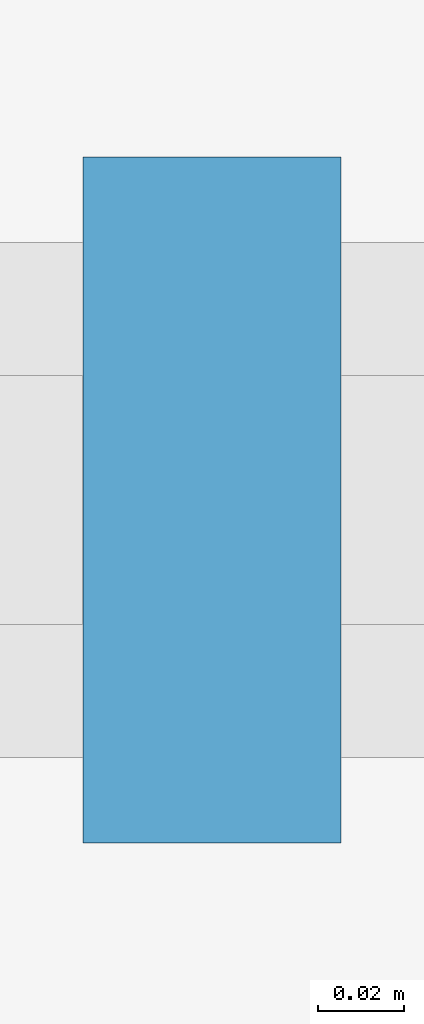
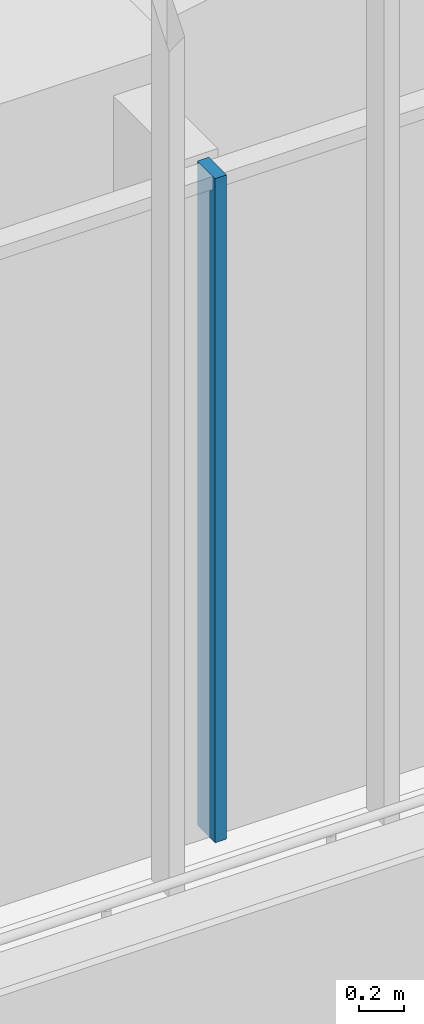
# One storey, part 16 of 127: 1 member, 1 element without a shape of its own.
"""IFC4 building model written with IfcOpenShell, lengths in metres."""

import ifcopenshell
import ifcopenshell.guid

model = None  # the IFC model being written
_history = None  # IfcOwnerHistory: only IFC2X3 demands one
_inside = {}  # id of a spatial element -> (the spatial element, [elements in it])
_under = {}  # id of a project, library or spatial element -> (it, [spatial elements below it])
_declared = {}  # id of a project -> (the project, [libraries it declares])
_typed = {}  # id of a type object -> (the type object, [elements of that type])
_made_of = {}  # id of a material, layer set ... -> (it, [elements and type objects made of it])


def new_model(schema):
    """Start an empty IFC model of exactly this schema.

    Asked for "IFC4X3", IfcOpenShell would pick the latest addendum, in which some entities
    have other attributes; the version numbers below select the first issue.
    IFC2X3 requires an IfcOwnerHistory on every rooted entity: one is made here for all.
    """
    global model, _history
    if schema == "IFC4X3":
        model = ifcopenshell.file(schema_version=(4, 3, 0, 0))
    else:
        model = ifcopenshell.file(schema=schema)
    _inside.clear()
    _under.clear()
    _declared.clear()
    _typed.clear()
    _made_of.clear()
    _history = None
    if model.schema == "IFC2X3":
        org = make("IfcOrganization", Name="unknown")
        user = make(
            "IfcPersonAndOrganization",
            ThePerson=make("IfcPerson", FamilyName="unknown"),
            TheOrganization=org,
        )
        app = make(
            "IfcApplication",
            ApplicationDeveloper=org,
            Version="unknown",
            ApplicationFullName="unknown",
            ApplicationIdentifier="unknown",
        )
        _history = make(
            "IfcOwnerHistory",
            OwningUser=user,
            OwningApplication=app,
            ChangeAction="ADDED",
            CreationDate=0,
        )
    return model


def make(cls, **values):
    """One entity of the class cls with the attributes given. An attribute that is None is left unset."""
    return model.create_entity(
        cls, **{name: value for name, value in values.items() if value is not None}
    )


def rooted(cls, **values):
    """An entity with a GlobalId (a new one), such as an element, a storey or a relation."""
    return make(cls, GlobalId=ifcopenshell.guid.new(), OwnerHistory=_history, **values)


def si_unit(unit_type, name, prefix=None):
    """IfcSIUnit, for example si_unit("LENGTHUNIT", "METRE", prefix="MILLI")."""
    return make("IfcSIUnit", UnitType=unit_type, Prefix=prefix, Name=name)


def assignment(units):
    """IfcUnitAssignment: the units of a project."""
    return None if units is None else make("IfcUnitAssignment", Units=units)


def point(xyz):
    """IfcCartesianPoint."""
    return None if xyz is None else make("IfcCartesianPoint", Coordinates=xyz)


def direction(xyz):
    """IfcDirection."""
    return None if xyz is None else make("IfcDirection", DirectionRatios=xyz)


def frame(location, z_axis=None, x_axis=None):
    """IfcAxis2Placement3D, a coordinate frame: its origin and axes. An axis left out is left unset."""
    return make(
        "IfcAxis2Placement3D",
        Location=point(location),
        Axis=direction(z_axis),
        RefDirection=direction(x_axis),
    )


def frame_2d(location, x_axis=None):
    """IfcAxis2Placement2D, a coordinate frame in the plane: its origin and x axis."""
    return make(
        "IfcAxis2Placement2D", Location=point(location), RefDirection=direction(x_axis)
    )


def origin():
    """The frame at (0, 0, 0) with its axes left unset."""
    return frame((0.0, 0.0, 0.0))


def origin_2d():
    """The frame at (0, 0) in the plane with its x axis left unset."""
    return frame_2d((0.0, 0.0))


def place(relative_to, where):
    """IfcLocalPlacement: puts the frame where relative to a parent placement (None: the world)."""
    return make(
        "IfcLocalPlacement", PlacementRelTo=relative_to, RelativePlacement=where
    )


def context(
    kind, dimensions, precision=None, world=None, true_north=None, identifier=None
):
    """IfcGeometricRepresentationContext, for example the 3D "Model" context."""
    return make(
        "IfcGeometricRepresentationContext",
        ContextIdentifier=identifier,
        ContextType=kind,
        CoordinateSpaceDimension=dimensions,
        Precision=precision,
        WorldCoordinateSystem=world,
        TrueNorth=true_north,
    )


def subcontext(parent, identifier, kind, view, scale=None):
    """IfcGeometricRepresentationSubContext, for example "Body" below "Model"."""
    return make(
        "IfcGeometricRepresentationSubContext",
        ContextIdentifier=identifier,
        ContextType=kind,
        ParentContext=parent,
        TargetScale=scale,
        TargetView=view,
    )


def project(units=None, contexts=None):
    """IfcProject with its units and contexts."""
    return rooted(
        "IfcProject",
        Name="project",
        RepresentationContexts=contexts,
        UnitsInContext=assignment(units),
    )


def spatial(cls, under=None, at=None, **own):
    """A site, building, storey or space (cls), placed at a placement, below another one or the project."""
    s = rooted(cls, ObjectPlacement=at, **own)
    if under is not None:
        _under.setdefault(under.id(), (under, []))[1].append(s)
    return s


def profile(cls, at=None, kind="AREA", **sizes):
    """A parametric profile (cls). Its sizes go by their IFC names, for example OverallWidth=200.0."""
    return make(cls, ProfileType=kind, Position=at, **sizes)


def rectangle(**sizes):
    """IfcRectangleProfileDef."""
    return profile("IfcRectangleProfileDef", **sizes)


def extrude(swept, where, along, depth):
    """IfcExtrudedAreaSolid: the profile swept, set in the frame where, extruded along a direction by depth."""
    return make(
        "IfcExtrudedAreaSolid",
        SweptArea=swept,
        Position=where,
        ExtrudedDirection=direction(along),
        Depth=depth,
    )


def shape(context_of_items, identifier, shape_type, items):
    """IfcShapeRepresentation: the items that make up one representation, for example the "Body"."""
    return make(
        "IfcShapeRepresentation",
        ContextOfItems=context_of_items,
        RepresentationIdentifier=identifier,
        RepresentationType=shape_type,
        Items=items,
    )


def material(Name=None, Category=None):
    """IfcMaterial."""
    return make("IfcMaterial", Name=Name, Category=Category)


def material_profile(
    of_material, cross_section, Name=None, Category=None, Priority=None
):
    """IfcMaterialProfile: a cross section and its material."""
    return make(
        "IfcMaterialProfile",
        Name=Name,
        Material=of_material,
        Profile=cross_section,
        Priority=Priority,
        Category=Category,
    )


def profile_set(profiles, Name=None, composite=None):
    """IfcMaterialProfileSet."""
    return make(
        "IfcMaterialProfileSet",
        Name=Name,
        MaterialProfiles=profiles,
        CompositeProfile=composite,
    )


def made_of(thing, what):
    """Note that an element or type object is made of a material, layer set ...; save() writes the relation."""
    if what is not None:
        _made_of.setdefault(what.id(), (what, []))[1].append(thing)
    return thing


def type_object(cls, material=None, **own):
    """A type object (cls), such as IfcWallType, which elements share."""
    return made_of(rooted(cls, **own), material)


def element(
    cls,
    number,
    at=None,
    inside=None,
    cuts=None,
    type_object=None,
    material=None,
    context=None,
    identifier="Body",
    shape_type=None,
    held_by="IfcProductDefinitionShape",
    body=None,
    shapes=None,
    **own,
):
    """One element of the class cls, such as IfcWall. Its Tag is "e" and its number.

    at: its placement. inside: the storey or other place that contains it. cuts: it is an
    opening in that element (IfcRelVoidsElement). A single representation is given by context,
    identifier, shape_type and body (its items); several are given by shapes. held_by: the class
    of the entity that holds the representations. save() writes the other relations.
    """
    e = rooted(cls, Tag="e%d" % number, ObjectPlacement=at, **own)
    if body is not None:
        shapes = [shape(context, identifier, shape_type, body)]
    if shapes is not None:
        e.Representation = make(held_by, Representations=shapes)
    if inside is not None:
        _inside.setdefault(inside.id(), (inside, []))[1].append(e)
    if cuts is not None:
        rooted(
            "IfcRelVoidsElement", RelatingBuildingElement=cuts, RelatedOpeningElement=e
        )
    if type_object is not None:
        _typed.setdefault(type_object.id(), (type_object, []))[1].append(e)
    return made_of(e, material)


def aggregate(whole, parts):
    """IfcRelAggregates: a whole, such as a stair, and the parts it consists of."""
    return rooted("IfcRelAggregates", RelatingObject=whole, RelatedObjects=parts)


def save(model, path):
    """Write the relations noted so far, then the file.

    IfcRelAggregates (storeys below a building ...), IfcRelContainedInSpatialStructure (elements
    in a storey), IfcRelDefinesByType, IfcRelAssociatesMaterial and IfcRelDeclares: one each for
    every whole, place, type object, material and project.
    """
    for whole, parts in _under.values():
        aggregate(whole, parts)
    for where, things in _inside.values():
        rooted(
            "IfcRelContainedInSpatialStructure",
            RelatedElements=things,
            RelatingStructure=where,
        )
    for kind, things in _typed.values():
        rooted("IfcRelDefinesByType", RelatedObjects=things, RelatingType=kind)
    for what, things in _made_of.values():
        rooted("IfcRelAssociatesMaterial", RelatedObjects=things, RelatingMaterial=what)
    for by, libraries in _declared.values():
        rooted("IfcRelDeclares", RelatingContext=by, RelatedDefinitions=libraries)
    model.write(path)


model = new_model("IFC4")

# Units and contexts
model_context = context("Model", 3, precision=1e-05, world=origin(), true_north=direction((0.0, 1.0)))
body_context = subcontext(model_context, "Body", "Model", "MODEL_VIEW")
ifc_project = project(units=[si_unit("LENGTHUNIT", "METRE"), si_unit("AREAUNIT", "SQUARE_METRE"), si_unit("VOLUMEUNIT", "CUBIC_METRE"), si_unit("PLANEANGLEUNIT", "RADIAN"), si_unit("MASSUNIT", "GRAM", prefix="KILO")], contexts=[model_context])

# Site, building, storey
site_placement = place(None, origin())
site = spatial("IfcSite", under=ifc_project, at=site_placement, CompositionType="ELEMENT")
building_placement = place(site_placement, origin())
building = spatial("IfcBuilding", under=site, at=building_placement, Name="Sandreach Pilgrim Tower", CompositionType="ELEMENT")
storey_placement = place(building_placement, frame((0.0, 0.0, 257.0)))
storey = spatial("IfcBuildingStorey", under=building, at=storey_placement, Name="L64", CompositionType="ELEMENT", Elevation=257.0)

# Curtain wall, member
ifc_material_1 = material(Name="Aluminium framed curtain wall", Category="aluminium")
curtain_wall_type = type_object("IfcCurtainWallType", Name="Suite tower curtain wall", PredefinedType="NOTDEFINED", material=ifc_material_1)
curtain_wall_placement = place(storey_placement, origin())
curtain_wall = element("IfcCurtainWall", 1, at=curtain_wall_placement, inside=storey, type_object=curtain_wall_type, Name="CW-4 L64 SA", PredefinedType="NOTDEFINED")
ifc_material_2 = material(Name="Aluminium extrusion", Category="aluminium")
ifc_material_profile = material_profile(ifc_material_2, rectangle(XDim=0.06005859375, YDim=0.159912109375, at=origin_2d()), Name="CW-4M 60X160")
ifc_profile_set = profile_set([ifc_material_profile], Name="Aluminium extrusion")
member_type = type_object("IfcMemberType", Name="CW-4 mullion", PredefinedType="MULLION", material=ifc_profile_set)
member_placement = place(storey_placement, frame((3.791748046875, -24.858154296875, 0.0), z_axis=(0.0, 0.0, 1.0), x_axis=(-1.0, 0.0, 0.0)))
member = element("IfcMember", 2, at=member_placement, type_object=member_type, Name="CW-4 mullion 2", PredefinedType="MULLION", context=body_context, shape_type="SweptSolid", body=[
    extrude(rectangle(XDim=0.06005859375, YDim=0.159912109375, at=origin_2d()), origin(), (0.0, 0.0, 1.0), 3.639892578125),
])
aggregate(curtain_wall, [member])

save(model, "model.ifc")
